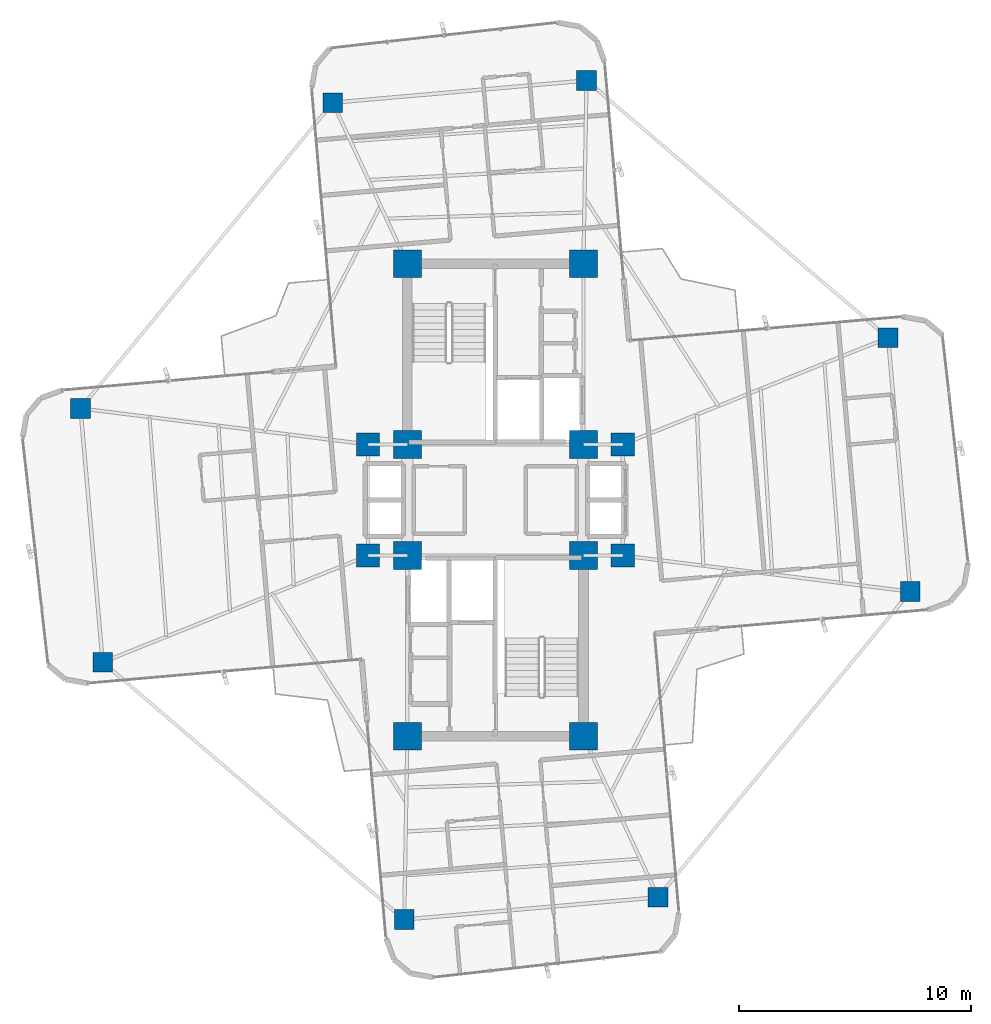
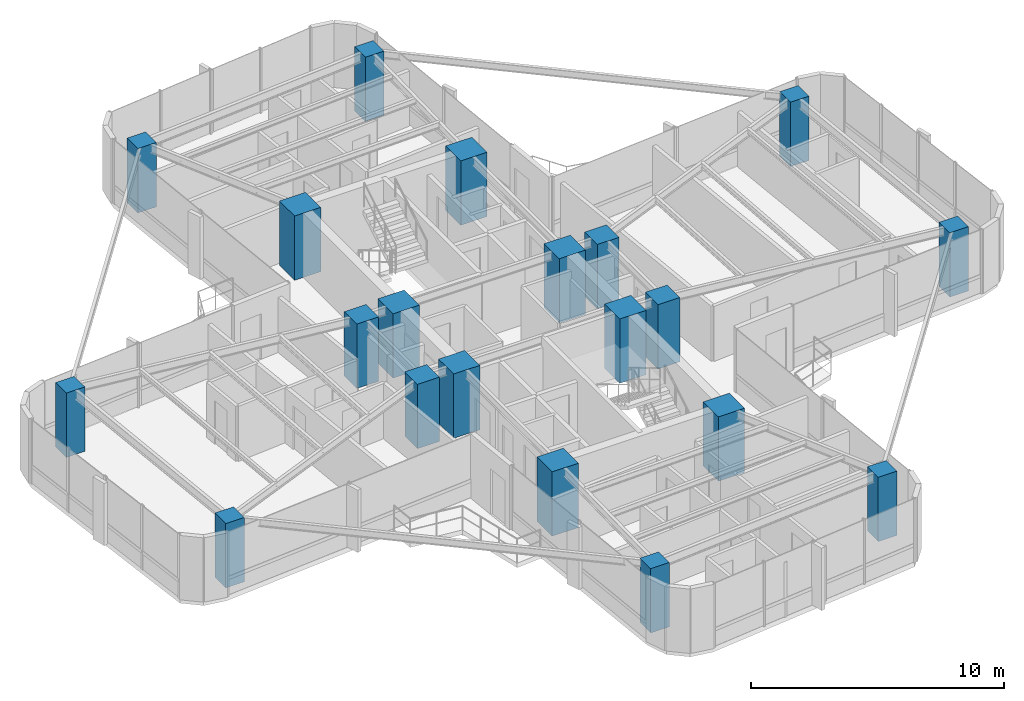
# One storey, part 1 of 24: 20 columns.
"""IFC4 building model written with IfcOpenShell, lengths in metres."""

from ifc_helpers import new_model, si_unit, direction, frame, origin, origin_2d, place, context, subcontext, project, spatial, rectangle, extrude, source, transform, mapped, material, material_profile, profile_set, type_object, element, save


model = new_model("IFC4")

# Units and contexts
model_context = context("Model", 3, precision=1e-05, world=origin(), true_north=direction((0.0, 1.0)))
body_context = subcontext(model_context, "Body", "Model", "MODEL_VIEW")
ifc_project = project(units=[si_unit("LENGTHUNIT", "METRE"), si_unit("AREAUNIT", "SQUARE_METRE"), si_unit("VOLUMEUNIT", "CUBIC_METRE"), si_unit("PLANEANGLEUNIT", "RADIAN"), si_unit("MASSUNIT", "GRAM", prefix="KILO")], contexts=[model_context])

# Site, building, storey
site_placement = place(None, origin())
site = spatial("IfcSite", under=ifc_project, at=site_placement, CompositionType="ELEMENT")
building_placement = place(site_placement, origin())
building = spatial("IfcBuilding", under=site, at=building_placement, Name="Sahyath Konkavel Grand Hotel", CompositionType="ELEMENT")
storey_placement = place(building_placement, frame((0.0, 0.0, 181.89990234375)))
storey = spatial("IfcBuildingStorey", under=building, at=storey_placement, Name="L50", CompositionType="ELEMENT", Elevation=181.89990234375)

# Columns
ifc_material_1 = material(Name="Concrete C50/60", Category="concrete")
ifc_material_profile_1 = material_profile(ifc_material_1, rectangle(XDim=1.199951171875, YDim=1.199951171875, at=origin_2d()), Name="RC 1200x1200")
ifc_profile_set_1 = profile_set([ifc_material_profile_1], Name="Concrete C50/60")
column_type_1 = type_object("IfcColumnType", Name="COL-RC1200", PredefinedType="COLUMN", material=ifc_profile_set_1)
shared_shape_1 = source(origin(), body_context, "Body", "SweptSolid", [
    extrude(rectangle(XDim=1.199951171875, YDim=1.199951171875, at=origin_2d()), origin(), (0.0, 0.0, 1.0), 3.110107421875),
])
for number, where, z_axis, x_axis, name in (
    (1, (-3.800048828125, 2.39990234375, 0.0), (0.0, 0.0, 1.0), (1.0, 0.0, 0.0), "L50 Core Boundary Column NC-SW"),
    (2, (3.800048828125, 2.39990234375, 0.0), (0.0, 0.0, 1.0), (1.0, 0.0, 0.0), "L50 Core Boundary Column NC-SE"),
    (3, (-3.800048828125, 10.199951171875, 0.0), (0.0, 0.0, 1.0), (1.0, 0.0, 0.0), "L50 Core Boundary Column NC-NW"),
    (4, (3.800048828125, 10.199951171875, 0.0), (0.0, 0.0, 1.0), (1.0, 0.0, 0.0), "L50 Core Boundary Column NC-NE"),
    (5, (-3.800048828125, -2.39990234375, 0.0), (0.0, 0.0, 1.0), (1.0, 0.0, 0.0), "L50 Core Boundary Column SC-NW"),
    (6, (3.800048828125, -2.39990234375, 0.0), (0.0, 0.0, 1.0), (1.0, 0.0, 0.0), "L50 Core Boundary Column SC-NE"),
    (7, (-3.800048828125, -10.199951171875, 0.0), (0.0, 0.0, 1.0), (1.0, 0.0, 0.0), "L50 Core Boundary Column SC-SW"),
    (8, (3.800048828125, -10.199951171875, 0.0), (0.0, 0.0, 1.0), (1.0, 0.0, 0.0), "L50 Core Boundary Column SC-SE"),
):
    element("IfcColumn", number, at=place(storey_placement, frame(where, z_axis=z_axis, x_axis=x_axis)), inside=storey, type_object=column_type_1, Name=name, PredefinedType="COLUMN", context=body_context, shape_type="MappedRepresentation", body=[
        mapped(shared_shape_1, transform((0.0, 0.0, 0.0), scale=1.0)),
    ])
ifc_material_profile_2 = material_profile(ifc_material_1, rectangle(XDim=1.0, YDim=1.0, at=origin_2d()), Name="RC 1000x1000")
ifc_profile_set_2 = profile_set([ifc_material_profile_2], Name="Concrete C50/60")
column_type_2 = type_object("IfcColumnType", Name="COL-RC1000", PredefinedType="COLUMN", material=ifc_profile_set_2)
shared_shape_2 = source(origin(), body_context, "Body", "SweptSolid", [
    extrude(rectangle(XDim=1.0, YDim=1.0, at=origin_2d()), origin(), (0.0, 0.0, 1.0), 3.110107421875),
])
for number, where, z_axis, x_axis, name in (
    (9, (5.5, 2.39990234375, 0.0), (0.0, 0.0, 1.0), (1.0, 0.0, 0.0), "L50 Central Spine Column HB-NE"),
    (10, (-5.5, 2.39990234375, 0.0), (0.0, 0.0, 1.0), (1.0, 0.0, 0.0), "L50 Central Spine Column HB-NW"),
    (11, (5.5, -2.39990234375, 0.0), (0.0, 0.0, 1.0), (1.0, 0.0, 0.0), "L50 Central Spine Column HB-SE"),
    (12, (-5.5, -2.39990234375, 0.0), (0.0, 0.0, 1.0), (1.0, 0.0, 0.0), "L50 Central Spine Column HB-SW"),
):
    element("IfcColumn", number, at=place(storey_placement, frame(where, z_axis=z_axis, x_axis=x_axis)), inside=storey, type_object=column_type_2, Name=name, PredefinedType="COLUMN", context=body_context, shape_type="MappedRepresentation", body=[
        mapped(shared_shape_2, transform((0.0, 0.0, 0.0), scale=1.0)),
    ])
ifc_material_2 = material(Name="Concrete C40/50", Category="concrete")
ifc_material_profile_3 = material_profile(ifc_material_2, rectangle(XDim=0.85009765625, YDim=0.85009765625, at=origin_2d()), Name="RC 850x850")
ifc_profile_set_3 = profile_set([ifc_material_profile_3], Name="Concrete C40/50")
column_type_3 = type_object("IfcColumnType", Name="COL-RC850", PredefinedType="COLUMN", material=ifc_profile_set_3)
shared_shape_3 = source(origin(), body_context, "Body", "SweptSolid", [
    extrude(rectangle(XDim=0.85009765625, YDim=0.85009765625, at=origin_2d()), origin(), (0.0, 0.0, 1.0), 3.110107421875),
])
for number, where, z_axis, x_axis, name in (
    (13, (17.912841796875, -3.953857421875, 0.0), (0.0, 0.0, 1.0), (1.0, 0.0, 0.0), "L50 Cruciform Wing Column WC-EA"),
    (14, (16.9541015625, 7.00439453125, 0.0), (0.0, 0.0, 1.0), (1.0, 0.0, 0.0), "L50 Cruciform Wing Column WC-EB"),
    (15, (3.936279296875, 18.112060546875, 0.0), (0.0, 0.0, 1.0), (1.0, 0.0, 0.0), "L50 Cruciform Wing Column WC-NA"),
    (16, (-7.021728515625, 17.1533203125, 0.0), (0.0, 0.0, 1.0), (1.0, 0.0, 0.0), "L50 Cruciform Wing Column WC-NB"),
    (17, (-17.912841796875, 3.953857421875, 0.0), (0.0, 0.0, 1.0), (1.0, 0.0, 0.0), "L50 Cruciform Wing Column WC-WA"),
    (18, (-16.9541015625, -7.00439453125, 0.0), (0.0, 0.0, 1.0), (1.0, 0.0, 0.0), "L50 Cruciform Wing Column WC-WB"),
    (19, (-3.936279296875, -18.112060546875, 0.0), (0.0, 0.0, 1.0), (1.0, 0.0, 0.0), "L50 Cruciform Wing Column WC-SA"),
    (20, (7.021728515625, -17.1533203125, 0.0), (0.0, 0.0, 1.0), (1.0, 0.0, 0.0), "L50 Cruciform Wing Column WC-SB"),
):
    element("IfcColumn", number, at=place(storey_placement, frame(where, z_axis=z_axis, x_axis=x_axis)), inside=storey, type_object=column_type_3, Name=name, PredefinedType="COLUMN", context=body_context, shape_type="MappedRepresentation", body=[
        mapped(shared_shape_3, transform((0.0, 0.0, 0.0), scale=1.0)),
    ])

save(model, "model.ifc")
